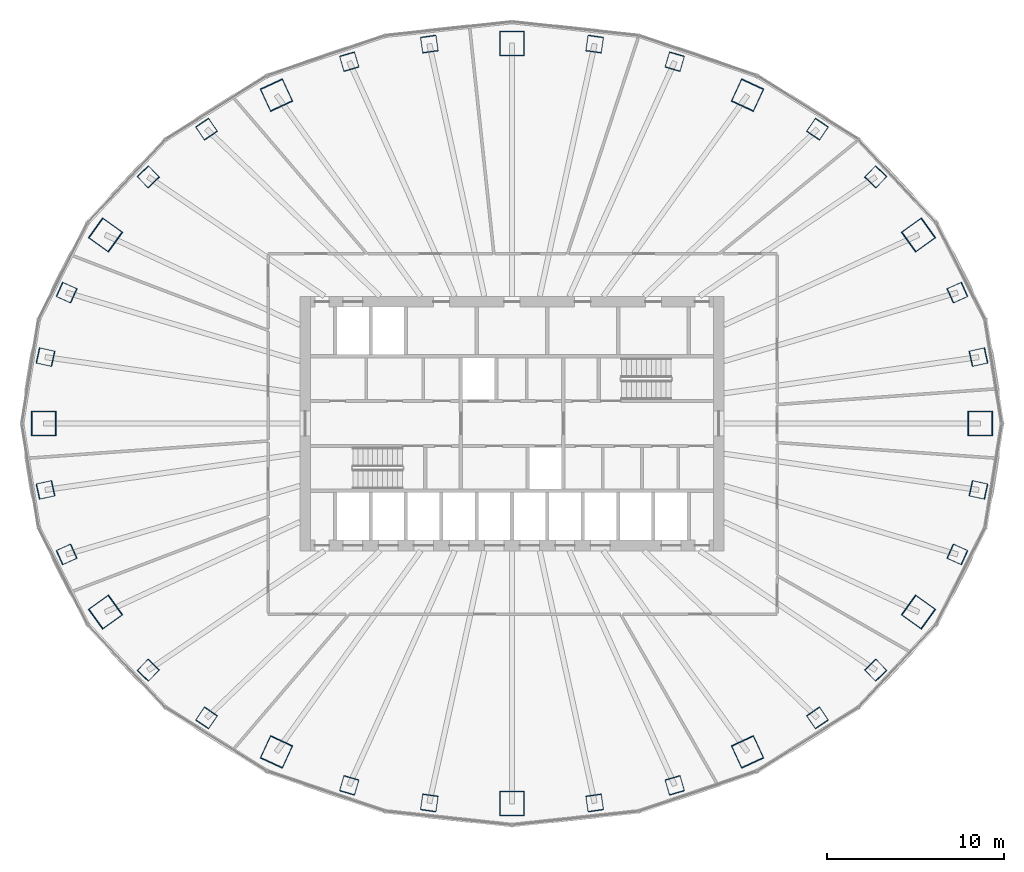
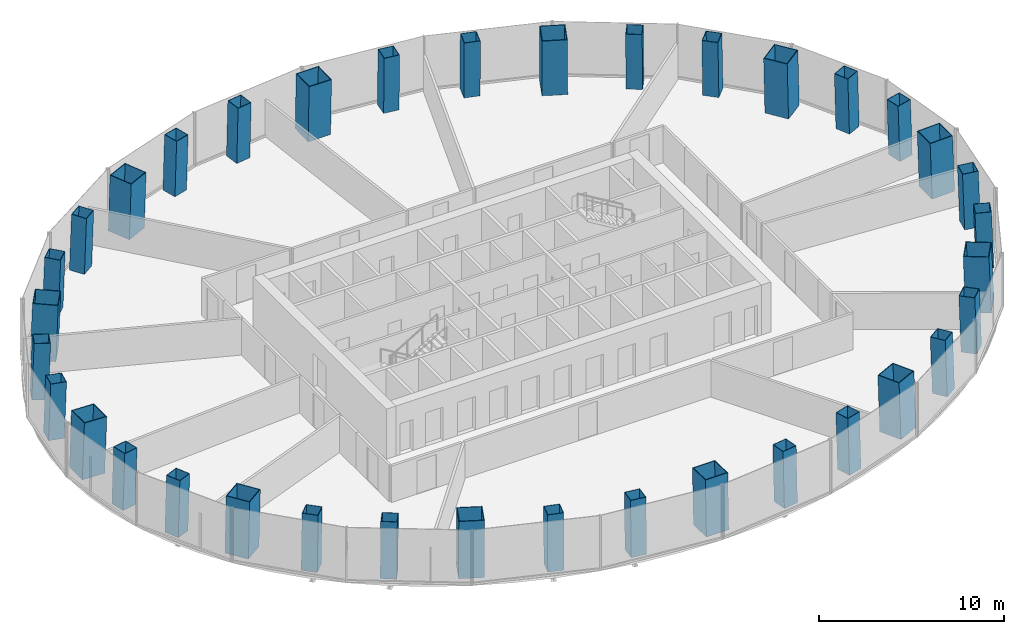
# One storey, part 1 of 11: 36 columns.
"""IFC4 building model written with IfcOpenShell, lengths in metres."""

from ifc_helpers import new_model, si_unit, direction, frame, origin, origin_2d, place, context, subcontext, project, spatial, hollow_rectangle, extrude, material, material_profile, profile_set, type_object, element, save


model = new_model("IFC4")

# Units and contexts
model_context = context("Model", 3, precision=1e-05, world=origin(), true_north=direction((0.0, 1.0)))
body_context = subcontext(model_context, "Body", "Model", "MODEL_VIEW")
ifc_project = project(units=[si_unit("LENGTHUNIT", "METRE"), si_unit("AREAUNIT", "SQUARE_METRE"), si_unit("VOLUMEUNIT", "CUBIC_METRE"), si_unit("PLANEANGLEUNIT", "RADIAN"), si_unit("MASSUNIT", "GRAM", prefix="KILO")], contexts=[model_context])

# Site, building, storey
site_placement = place(None, origin())
site = spatial("IfcSite", under=ifc_project, at=site_placement, CompositionType="ELEMENT")
building_placement = place(site_placement, origin())
building = spatial("IfcBuilding", under=site, at=building_placement, Name="Siaravel Broadcast Tower", CompositionType="ELEMENT")
storey_placement = place(building_placement, frame((0.0, 0.0, 55.60009765625)))
storey = spatial("IfcBuildingStorey", under=building, at=storey_placement, Name="L12", CompositionType="ELEMENT", Elevation=55.60009765625)

# Columns
ifc_material = material(Name="Concrete C70/85", Category="concrete")
ifc_material_profile_1 = material_profile(ifc_material, hollow_rectangle(XDim=1.39990234375, YDim=1.39990234375, WallThickness=0.0400390625, at=origin_2d()))
ifc_profile_set_1 = profile_set([ifc_material_profile_1], Name="Concrete C70/85")
column_type_1 = type_object("IfcColumnType", Name="COL-CFT BOX 1400x1400x40", PredefinedType="COLUMN", material=ifc_profile_set_1)
column_1_placement = place(storey_placement, frame((26.517822265625, 0.0, 0.0), z_axis=(-0.034555398, 0.0, 0.999402784), x_axis=(0.0, -1.0, 0.0)))
element("IfcColumn", 1, at=column_1_placement, inside=storey, type_object=column_type_1, Name="Megacolumn MC01", PredefinedType="COLUMN", context=body_context, shape_type="SweptSolid", body=[
    extrude(hollow_rectangle(XDim=1.39990234375, YDim=1.39990234375, WallThickness=0.0400390625, at=origin_2d()), origin(), (0.0, 0.0, 1.0), 3.7021484375),
])
column_2_placement = place(storey_placement, frame((23.018798828125, 10.677490234375, 0.0), z_axis=(-0.030006556, -0.014178922, 0.999449131), x_axis=(0.581821386, -0.81329497, 0.005930077)))
element("IfcColumn", 2, at=column_2_placement, inside=storey, type_object=column_type_1, Name="Megacolumn MC02", PredefinedType="COLUMN", context=body_context, shape_type="SweptSolid", body=[
    extrude(hollow_rectangle(XDim=1.39990234375, YDim=1.39990234375, WallThickness=0.0400390625, at=origin_2d()), origin(), (0.0, 0.0, 1.0), 3.701904296875),
])
column_3_placement = place(storey_placement, frame((13.338623046875, 18.596923828125, 0.0), z_axis=(-0.017280237, -0.024535299, 0.999549605), x_axis=(0.907605865, -0.419788733, 0.005386429)))
element("IfcColumn", 3, at=column_3_placement, inside=storey, type_object=column_type_1, Name="Megacolumn MC03", PredefinedType="COLUMN", context=body_context, shape_type="SweptSolid", body=[
    extrude(hollow_rectangle(XDim=1.39990234375, YDim=1.39990234375, WallThickness=0.0400390625, at=origin_2d()), origin(), (0.0, 0.0, 1.0), 3.70166015625),
])
column_4_placement = place(storey_placement, frame((0.0, 21.522216796875, 0.0), z_axis=(0.0, -0.02836206, 0.999597716), x_axis=(1.0, 0.0, 0.0)))
element("IfcColumn", 4, at=column_4_placement, inside=storey, type_object=column_type_1, Name="Megacolumn MC04", PredefinedType="COLUMN", context=body_context, shape_type="SweptSolid", body=[
    extrude(hollow_rectangle(XDim=1.39990234375, YDim=1.39990234375, WallThickness=0.0400390625, at=origin_2d()), origin(), (0.0, 0.0, 1.0), 3.701416015625),
])
column_5_placement = place(storey_placement, frame((-13.338623046875, 18.596923828125, 0.0), z_axis=(0.017280237, -0.024535299, 0.999549605), x_axis=(0.907605865, 0.419788733, -0.005386429)))
element("IfcColumn", 5, at=column_5_placement, inside=storey, type_object=column_type_1, Name="Megacolumn MC05", PredefinedType="COLUMN", context=body_context, shape_type="SweptSolid", body=[
    extrude(hollow_rectangle(XDim=1.39990234375, YDim=1.39990234375, WallThickness=0.0400390625, at=origin_2d()), origin(), (0.0, 0.0, 1.0), 3.70166015625),
])
column_6_placement = place(storey_placement, frame((-23.018798828125, 10.677490234375, 0.0), z_axis=(0.030006556, -0.014178922, 0.999449131), x_axis=(0.581821386, 0.81329497, -0.005930077)))
element("IfcColumn", 6, at=column_6_placement, inside=storey, type_object=column_type_1, Name="Megacolumn MC06", PredefinedType="COLUMN", context=body_context, shape_type="SweptSolid", body=[
    extrude(hollow_rectangle(XDim=1.39990234375, YDim=1.39990234375, WallThickness=0.0400390625, at=origin_2d()), origin(), (0.0, 0.0, 1.0), 3.701904296875),
])
column_7_placement = place(storey_placement, frame((-26.517822265625, 0.0, 0.0), z_axis=(0.034555398, 0.0, 0.999402784), x_axis=(0.0, 1.0, 0.0)))
element("IfcColumn", 7, at=column_7_placement, inside=storey, type_object=column_type_1, Name="Megacolumn MC07", PredefinedType="COLUMN", context=body_context, shape_type="SweptSolid", body=[
    extrude(hollow_rectangle(XDim=1.39990234375, YDim=1.39990234375, WallThickness=0.0400390625, at=origin_2d()), origin(), (0.0, 0.0, 1.0), 3.7021484375),
])
column_8_placement = place(storey_placement, frame((-23.018798828125, -10.677490234375, 0.0), z_axis=(0.030006556, 0.014178922, 0.999449131), x_axis=(-0.581821386, 0.81329497, 0.005930077)))
element("IfcColumn", 8, at=column_8_placement, inside=storey, type_object=column_type_1, Name="Megacolumn MC08", PredefinedType="COLUMN", context=body_context, shape_type="SweptSolid", body=[
    extrude(hollow_rectangle(XDim=1.39990234375, YDim=1.39990234375, WallThickness=0.0400390625, at=origin_2d()), origin(), (0.0, 0.0, 1.0), 3.701904296875),
])
column_9_placement = place(storey_placement, frame((-13.338623046875, -18.596923828125, 0.0), z_axis=(0.017280237, 0.024535299, 0.999549605), x_axis=(-0.907605865, 0.419788733, 0.005386429)))
element("IfcColumn", 9, at=column_9_placement, inside=storey, type_object=column_type_1, Name="Megacolumn MC09", PredefinedType="COLUMN", context=body_context, shape_type="SweptSolid", body=[
    extrude(hollow_rectangle(XDim=1.39990234375, YDim=1.39990234375, WallThickness=0.0400390625, at=origin_2d()), origin(), (0.0, 0.0, 1.0), 3.70166015625),
])
column_10_placement = place(storey_placement, frame((0.0, -21.522216796875, 0.0), z_axis=(0.0, 0.02836206, 0.999597716), x_axis=(-1.0, 0.0, 0.0)))
element("IfcColumn", 10, at=column_10_placement, inside=storey, type_object=column_type_1, Name="Megacolumn MC10", PredefinedType="COLUMN", context=body_context, shape_type="SweptSolid", body=[
    extrude(hollow_rectangle(XDim=1.39990234375, YDim=1.39990234375, WallThickness=0.0400390625, at=origin_2d()), origin(), (0.0, 0.0, 1.0), 3.701416015625),
])
column_11_placement = place(storey_placement, frame((13.338623046875, -18.596923828125, 0.0), z_axis=(-0.017280237, 0.024535299, 0.999549605), x_axis=(-0.907605865, -0.419788733, -0.005386429)))
element("IfcColumn", 11, at=column_11_placement, inside=storey, type_object=column_type_1, Name="Megacolumn MC11", PredefinedType="COLUMN", context=body_context, shape_type="SweptSolid", body=[
    extrude(hollow_rectangle(XDim=1.39990234375, YDim=1.39990234375, WallThickness=0.0400390625, at=origin_2d()), origin(), (0.0, 0.0, 1.0), 3.70166015625),
])
column_12_placement = place(storey_placement, frame((23.018798828125, -10.677490234375, 0.0), z_axis=(-0.030006556, 0.014178922, 0.999449131), x_axis=(-0.581821386, -0.81329497, -0.005930077)))
element("IfcColumn", 12, at=column_12_placement, inside=storey, type_object=column_type_1, Name="Megacolumn MC12", PredefinedType="COLUMN", context=body_context, shape_type="SweptSolid", body=[
    extrude(hollow_rectangle(XDim=1.39990234375, YDim=1.39990234375, WallThickness=0.0400390625, at=origin_2d()), origin(), (0.0, 0.0, 1.0), 3.701904296875),
])
ifc_material_profile_2 = material_profile(ifc_material, hollow_rectangle(XDim=0.89990234375, YDim=0.89990234375, WallThickness=0.02490234375, at=origin_2d()))
ifc_profile_set_2 = profile_set([ifc_material_profile_2], Name="Concrete C70/85")
column_type_2 = type_object("IfcColumnType", Name="COL-CFT BOX 900x900x25", PredefinedType="COLUMN", material=ifc_profile_set_2)
for number, where, z_axis, x_axis, name in (
    (13, (26.416259765625, 3.760009765625, 0.0), (-0.034093903, -0.004945924, 0.999406396), (0.213026196, -0.977043461, 0.002431955), "Perimeter column C01"),
    (14, (25.22119140625, 7.412353515625, 0.0), (-0.032511791, -0.009694185, 0.999424337), (0.409583368, -0.912261715, 0.004475231), "Perimeter column C02"),
):
    element("IfcColumn", number, at=place(storey_placement, frame(where, z_axis=z_axis, x_axis=x_axis)), inside=storey, type_object=column_type_2, Name=name, PredefinedType="COLUMN", context=body_context, shape_type="SweptSolid", body=[
        extrude(hollow_rectangle(XDim=0.89990234375, YDim=0.89990234375, WallThickness=0.02490234375, at=origin_2d()), origin(), (0.0, 0.0, 1.0), 3.7021484375),
    ])
column_13_placement = place(storey_placement, frame((20.59765625, 13.96875, 0.0), z_axis=(-0.026512179, -0.018202391, 0.999482755), x_axis=(0.719487354, -0.694475707, 0.006437388)))
element("IfcColumn", 15, at=column_13_placement, inside=storey, type_object=column_type_2, Name="Perimeter column C03", PredefinedType="COLUMN", context=body_context, shape_type="SweptSolid", body=[
    extrude(hollow_rectangle(XDim=0.89990234375, YDim=0.89990234375, WallThickness=0.02490234375, at=origin_2d()), origin(), (0.0, 0.0, 1.0), 3.701904296875),
])
column_14_placement = place(storey_placement, frame((17.29931640625, 16.67041015625, 0.0), z_axis=(-0.022226156, -0.021698532, 0.999517469), x_axis=(0.827705276, -0.561128539, 0.006224044)))
element("IfcColumn", 16, at=column_14_placement, inside=storey, type_object=column_type_2, Name="Perimeter column C04", PredefinedType="COLUMN", context=body_context, shape_type="SweptSolid", body=[
    extrude(hollow_rectangle(XDim=0.89990234375, YDim=0.89990234375, WallThickness=0.02490234375, at=origin_2d()), origin(), (0.0, 0.0, 1.0), 3.70166015625),
])
for number, where, z_axis, x_axis, name in (
    (17, (9.21728515625, 20.4912109375, 0.0), (-0.011806266, -0.026646544, 0.999575197), (0.959886938, -0.280360729, 0.003863677), "Perimeter column C05"),
    (18, (4.681396484375, 21.48681640625, 0.0), (-0.006002162, -0.027966118, 0.999590851), (0.990164049, -0.139896496, 0.002031594), "Perimeter column C06"),
    (19, (-4.681396484375, 21.48681640625, 0.0), (0.006002162, -0.027966118, 0.999590851), (0.990164049, 0.139896496, -0.002031594), "Perimeter column C07"),
    (20, (-9.21728515625, 20.4912109375, 0.0), (0.011806266, -0.026646544, 0.999575197), (0.959886938, 0.280360729, -0.003863677), "Perimeter column C08"),
):
    element("IfcColumn", number, at=place(storey_placement, frame(where, z_axis=z_axis, x_axis=x_axis)), inside=storey, type_object=column_type_2, Name=name, PredefinedType="COLUMN", context=body_context, shape_type="SweptSolid", body=[
        extrude(hollow_rectangle(XDim=0.89990234375, YDim=0.89990234375, WallThickness=0.02490234375, at=origin_2d()), origin(), (0.0, 0.0, 1.0), 3.701416015625),
    ])
column_15_placement = place(storey_placement, frame((-17.29931640625, 16.67041015625, 0.0), z_axis=(0.022226156, -0.021698532, 0.999517469), x_axis=(0.827705276, 0.561128539, -0.006224044)))
element("IfcColumn", 21, at=column_15_placement, inside=storey, type_object=column_type_2, Name="Perimeter column C09", PredefinedType="COLUMN", context=body_context, shape_type="SweptSolid", body=[
    extrude(hollow_rectangle(XDim=0.89990234375, YDim=0.89990234375, WallThickness=0.02490234375, at=origin_2d()), origin(), (0.0, 0.0, 1.0), 3.70166015625),
])
column_16_placement = place(storey_placement, frame((-20.59765625, 13.96875, 0.0), z_axis=(0.026512179, -0.018202391, 0.999482755), x_axis=(0.719487354, 0.694475707, -0.006437388)))
element("IfcColumn", 22, at=column_16_placement, inside=storey, type_object=column_type_2, Name="Perimeter column C10", PredefinedType="COLUMN", context=body_context, shape_type="SweptSolid", body=[
    extrude(hollow_rectangle(XDim=0.89990234375, YDim=0.89990234375, WallThickness=0.02490234375, at=origin_2d()), origin(), (0.0, 0.0, 1.0), 3.701904296875),
])
for number, where, z_axis, x_axis, name in (
    (23, (-25.22119140625, 7.412353515625, 0.0), (0.032511791, -0.009694185, 0.999424337), (0.409583368, 0.912261715, -0.004475231), "Perimeter column C11"),
    (24, (-26.416259765625, 3.760009765625, 0.0), (0.034093903, -0.004945924, 0.999406396), (0.213026196, 0.977043461, -0.002431955), "Perimeter column C12"),
    (25, (-26.416259765625, -3.760009765625, 0.0), (0.034093903, 0.004945924, 0.999406396), (-0.213026196, 0.977043461, 0.002431955), "Perimeter column C13"),
    (26, (-25.22119140625, -7.412353515625, 0.0), (0.032511791, 0.009694185, 0.999424337), (-0.409583368, 0.912261715, 0.004475231), "Perimeter column C14"),
):
    element("IfcColumn", number, at=place(storey_placement, frame(where, z_axis=z_axis, x_axis=x_axis)), inside=storey, type_object=column_type_2, Name=name, PredefinedType="COLUMN", context=body_context, shape_type="SweptSolid", body=[
        extrude(hollow_rectangle(XDim=0.89990234375, YDim=0.89990234375, WallThickness=0.02490234375, at=origin_2d()), origin(), (0.0, 0.0, 1.0), 3.7021484375),
    ])
column_17_placement = place(storey_placement, frame((-20.59765625, -13.96875, 0.0), z_axis=(0.026512179, 0.018202391, 0.999482755), x_axis=(-0.719487354, 0.694475707, 0.006437388)))
element("IfcColumn", 27, at=column_17_placement, inside=storey, type_object=column_type_2, Name="Perimeter column C15", PredefinedType="COLUMN", context=body_context, shape_type="SweptSolid", body=[
    extrude(hollow_rectangle(XDim=0.89990234375, YDim=0.89990234375, WallThickness=0.02490234375, at=origin_2d()), origin(), (0.0, 0.0, 1.0), 3.701904296875),
])
column_18_placement = place(storey_placement, frame((-17.29931640625, -16.67041015625, 0.0), z_axis=(0.022226156, 0.021698532, 0.999517469), x_axis=(-0.827705276, 0.561128539, 0.006224044)))
element("IfcColumn", 28, at=column_18_placement, inside=storey, type_object=column_type_2, Name="Perimeter column C16", PredefinedType="COLUMN", context=body_context, shape_type="SweptSolid", body=[
    extrude(hollow_rectangle(XDim=0.89990234375, YDim=0.89990234375, WallThickness=0.02490234375, at=origin_2d()), origin(), (0.0, 0.0, 1.0), 3.70166015625),
])
for number, where, z_axis, x_axis, name in (
    (29, (-9.21728515625, -20.4912109375, 0.0), (0.011806266, 0.026646544, 0.999575197), (-0.959886938, 0.280360729, 0.003863677), "Perimeter column C17"),
    (30, (-4.681396484375, -21.48681640625, 0.0), (0.006002162, 0.027966118, 0.999590851), (-0.990164049, 0.139896496, 0.002031594), "Perimeter column C18"),
    (31, (4.681396484375, -21.48681640625, 0.0), (-0.006002162, 0.027966118, 0.999590851), (-0.990164049, -0.139896496, -0.002031594), "Perimeter column C19"),
    (32, (9.21728515625, -20.4912109375, 0.0), (-0.011806266, 0.026646544, 0.999575197), (-0.959886938, -0.280360729, -0.003863677), "Perimeter column C20"),
):
    element("IfcColumn", number, at=place(storey_placement, frame(where, z_axis=z_axis, x_axis=x_axis)), inside=storey, type_object=column_type_2, Name=name, PredefinedType="COLUMN", context=body_context, shape_type="SweptSolid", body=[
        extrude(hollow_rectangle(XDim=0.89990234375, YDim=0.89990234375, WallThickness=0.02490234375, at=origin_2d()), origin(), (0.0, 0.0, 1.0), 3.701416015625),
    ])
column_19_placement = place(storey_placement, frame((17.29931640625, -16.67041015625, 0.0), z_axis=(-0.022226156, 0.021698532, 0.999517469), x_axis=(-0.827705276, -0.561128539, -0.006224044)))
element("IfcColumn", 33, at=column_19_placement, inside=storey, type_object=column_type_2, Name="Perimeter column C21", PredefinedType="COLUMN", context=body_context, shape_type="SweptSolid", body=[
    extrude(hollow_rectangle(XDim=0.89990234375, YDim=0.89990234375, WallThickness=0.02490234375, at=origin_2d()), origin(), (0.0, 0.0, 1.0), 3.70166015625),
])
column_20_placement = place(storey_placement, frame((20.59765625, -13.96875, 0.0), z_axis=(-0.026512179, 0.018202391, 0.999482755), x_axis=(-0.719487354, -0.694475707, -0.006437388)))
element("IfcColumn", 34, at=column_20_placement, inside=storey, type_object=column_type_2, Name="Perimeter column C22", PredefinedType="COLUMN", context=body_context, shape_type="SweptSolid", body=[
    extrude(hollow_rectangle(XDim=0.89990234375, YDim=0.89990234375, WallThickness=0.02490234375, at=origin_2d()), origin(), (0.0, 0.0, 1.0), 3.701904296875),
])
for number, where, z_axis, x_axis, name in (
    (35, (25.22119140625, -7.412353515625, 0.0), (-0.032511791, 0.009694185, 0.999424337), (-0.409583368, -0.912261715, -0.004475231), "Perimeter column C23"),
    (36, (26.416259765625, -3.760009765625, 0.0), (-0.034093903, 0.004945924, 0.999406396), (-0.213026196, -0.977043461, -0.002431955), "Perimeter column C24"),
):
    element("IfcColumn", number, at=place(storey_placement, frame(where, z_axis=z_axis, x_axis=x_axis)), inside=storey, type_object=column_type_2, Name=name, PredefinedType="COLUMN", context=body_context, shape_type="SweptSolid", body=[
        extrude(hollow_rectangle(XDim=0.89990234375, YDim=0.89990234375, WallThickness=0.02490234375, at=origin_2d()), origin(), (0.0, 0.0, 1.0), 3.7021484375),
    ])

save(model, "model.ifc")
